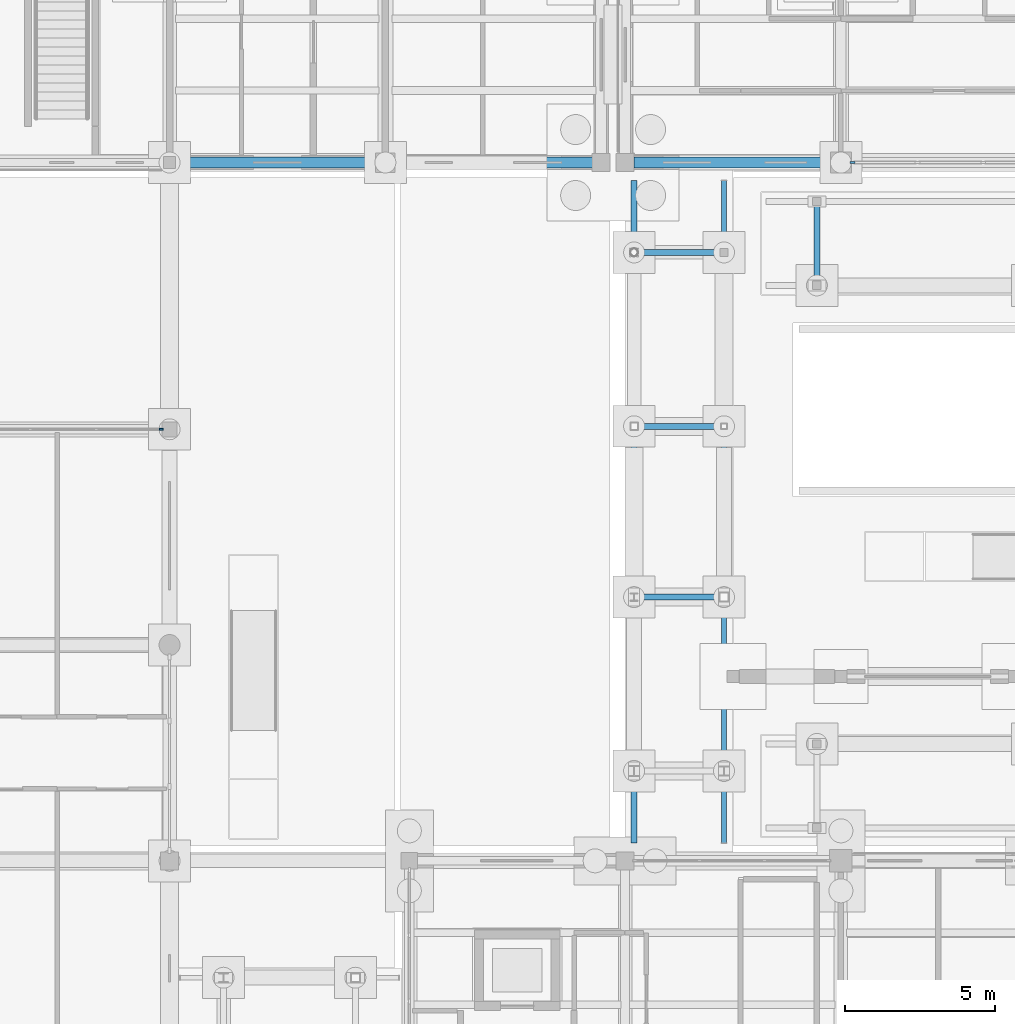
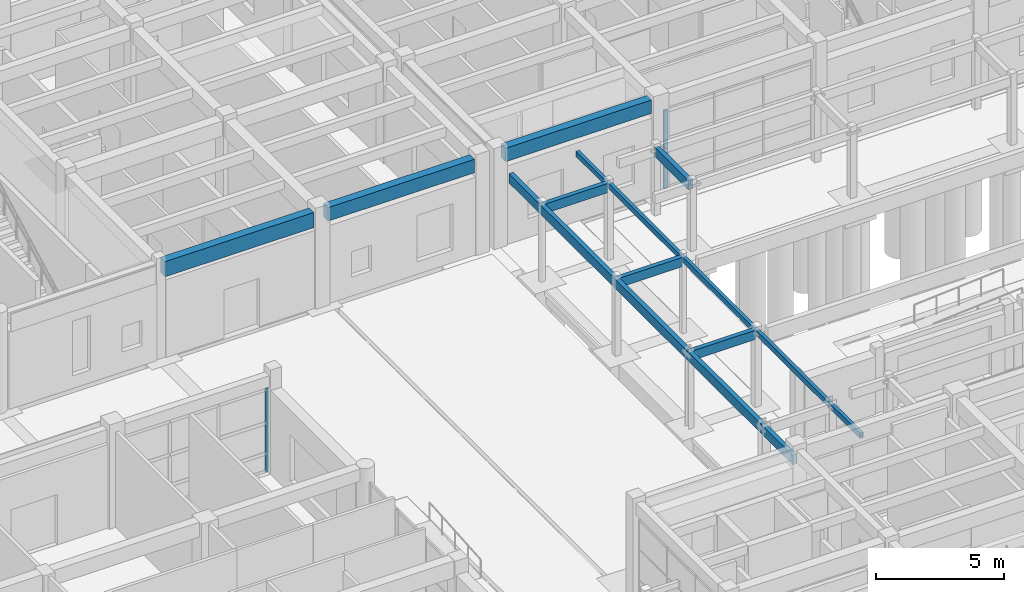
# One storey, part 39 of 143: 9 beams, 2 members, 2 elements without a shape of their own.
"""IFC4 building model written with IfcOpenShell, lengths in metres."""

from ifc_helpers import new_model, si_unit, direction, frame, origin, origin_2d, place, context, subcontext, project, spatial, rectangle, hollow_rectangle, extrude, material, material_profile, profile_set, type_object, element, aggregate, save


model = new_model("IFC4")

# Units and contexts
model_context = context("Model", 3, precision=1e-05, world=origin(), true_north=direction((0.0, 1.0)))
body_context = subcontext(model_context, "Body", "Model", "MODEL_VIEW")
ifc_project = project(units=[si_unit("LENGTHUNIT", "METRE"), si_unit("AREAUNIT", "SQUARE_METRE"), si_unit("VOLUMEUNIT", "CUBIC_METRE"), si_unit("PLANEANGLEUNIT", "RADIAN"), si_unit("MASSUNIT", "GRAM", prefix="KILO")], contexts=[model_context])

# Site, building, storey
site_placement = place(None, origin())
site = spatial("IfcSite", under=ifc_project, at=site_placement, CompositionType="ELEMENT")
building_placement = place(site_placement, origin())
building = spatial("IfcBuilding", under=site, at=building_placement, Name="Steenspoor Specialist Clinic", CompositionType="ELEMENT")
storey_placement = place(building_placement, origin())
storey = spatial("IfcBuildingStorey", under=building, at=storey_placement, Name="L00", CompositionType="ELEMENT", Elevation=0.0)

# Beams
ifc_material_1 = material(Name="Glulam GL28h", Category="wood")
ifc_material_profile_1 = material_profile(ifc_material_1, rectangle(XDim=0.199951171875, YDim=0.43994140625, at=origin_2d()), Name="GL28H-200X440")
ifc_profile_set_1 = profile_set([ifc_material_profile_1], Name="Glulam GL28h")
beam_type_1 = type_object("IfcBeamType", Name="BM-GL-200X440", PredefinedType="BEAM", material=ifc_profile_set_1)
beam_1_placement = place(storey_placement, frame((52.699951171875, 42.449951171875, 3.4150390625), z_axis=(0.0, 1.0, 0.0), x_axis=(-1.0, 0.0, 0.0)))
element("IfcBeam", 1, at=beam_1_placement, inside=storey, type_object=beam_type_1, Name="BM-WK1-CONT-0", PredefinedType="BEAM", context=body_context, shape_type="SweptSolid", body=[
    extrude(rectangle(XDim=0.199951171875, YDim=0.43994140625, at=origin_2d()), origin(), (0.0, 0.0, 1.0), 22.10009765625),
])
for number, where, z_axis, x_axis, name in (
    (2, (52.780029296875, 50.64990234375, 3.4150390625), (1.0, 0.0, 0.0), (0.0, 1.0, 0.0), "BM-WK1-T-506"),
    (3, (52.780029296875, 56.35009765625, 3.4150390625), (1.0, 0.0, 0.0), (0.0, 1.0, 0.0), "BM-WK1-T-563"),
    (4, (52.780029296875, 62.14990234375, 3.4150390625), (1.0, 0.0, 0.0), (0.0, 1.0, 0.0), "BM-WK1-T-621"),
):
    element("IfcBeam", number, at=place(storey_placement, frame(where, z_axis=z_axis, x_axis=x_axis)), inside=storey, type_object=beam_type_1, Name=name, PredefinedType="BEAM", context=body_context, shape_type="SweptSolid", body=[
        extrude(rectangle(XDim=0.199951171875, YDim=0.43994140625, at=origin_2d()), origin(), (0.0, 0.0, 1.0), 2.840087890625),
    ])
beam_2_placement = place(storey_placement, frame((58.800048828125, 61.1298828125, 3.014892578125), z_axis=(0.0, 1.0, 0.0), x_axis=(-1.0, 0.0, 0.0)))
element("IfcBeam", 5, at=beam_2_placement, inside=storey, type_object=beam_type_1, Name="BM-WK4-T-588", PredefinedType="BEAM", context=body_context, shape_type="SweptSolid", body=[
    extrude(rectangle(XDim=0.199951171875, YDim=0.43994140625, at=origin_2d()), origin(), (0.0, 0.0, 1.0), 2.64013671875),
])
ifc_material_2 = material(Name="Steel A500 Grade C", Category="steel")
ifc_material_profile_2 = material_profile(ifc_material_2, hollow_rectangle(XDim=0.15234375, YDim=0.25390625, WallThickness=0.0087890625, at=origin_2d()), Name="HSS254X152X9.5")
ifc_profile_set_2 = profile_set([ifc_material_profile_2], Name="Steel A500 Grade C")
beam_type_2 = type_object("IfcBeamType", Name="BM-ST-HSS254", PredefinedType="SPANDREL", material=ifc_profile_set_2)
beam_3_placement = place(storey_placement, frame((55.699951171875, 42.449951171875, 3.508056640625), z_axis=(0.0, 1.0, 0.0), x_axis=(-1.0, 0.0, 0.0)))
element("IfcBeam", 6, at=beam_3_placement, inside=storey, type_object=beam_type_2, Name="BM-WK1-CONT-1", PredefinedType="SPANDREL", context=body_context, shape_type="SweptSolid", body=[
    extrude(hollow_rectangle(XDim=0.15234375, YDim=0.25390625, WallThickness=0.0087890625, at=origin_2d()), origin(), (0.0, 0.0, 1.0), 22.10009765625),
])

# Curtain wall, member
ifc_material_3 = material(Name="Thermally broken aluminium and low-emissivity glass", Category="aluminium")
curtain_wall_type_1 = type_object("IfcCurtainWallType", Name="CW-TYP-240X355", PredefinedType="USERDEFINED", material=ifc_material_3)
curtain_wall_1_placement = place(storey_placement, origin())
curtain_wall_1 = element("IfcCurtainWall", 7, at=curtain_wall_1_placement, inside=storey, type_object=curtain_wall_type_1, Name="Unitised Curtain Wall CW-V3-L00-040", ObjectType="UNITISED GLAZING", PredefinedType="USERDEFINED")
ifc_material_4 = material(Name="Thermally broken aluminium 6063-T6", Category="aluminium")
ifc_material_profile_3 = material_profile(ifc_material_4, rectangle(XDim=0.06005859375, YDim=0.135009765625, at=origin_2d()), Name="CWM-60X135")
ifc_profile_set_3 = profile_set([ifc_material_profile_3], Name="Thermally broken aluminium 6063-T6")
member_type_1 = type_object("IfcMemberType", Name="CW-MULL-60X135", PredefinedType="MULLION", material=ifc_profile_set_3)
member_1_placement = place(storey_placement, frame((36.919921875, 56.25, 0.0), z_axis=(0.0, 0.0, 1.0), x_axis=(0.0, 1.0, 0.0)))
member_1 = element("IfcMember", 8, at=member_1_placement, type_object=member_type_1, Name="CW-16 mullion 4", PredefinedType="MULLION", context=body_context, shape_type="SweptSolid", body=[
    extrude(rectangle(XDim=0.06005859375, YDim=0.135009765625, at=origin_2d()), origin(), (0.0, 0.0, 1.0), 3.97998046875),
])
aggregate(curtain_wall_1, [member_1])

curtain_wall_type_2 = type_object("IfcCurtainWallType", Name="CW-WLK-640X340", PredefinedType="USERDEFINED", material=ifc_material_3)
curtain_wall_2_placement = place(storey_placement, origin())
curtain_wall_2 = element("IfcCurtainWall", 9, at=curtain_wall_2_placement, inside=storey, type_object=curtain_wall_type_2, Name="Unitised Curtain Wall CW-V4-L00-044", ObjectType="UNITISED GLAZING", PredefinedType="USERDEFINED")
ifc_material_profile_4 = material_profile(ifc_material_4, rectangle(XDim=0.070068359375, YDim=0.1650390625, at=origin_2d()), Name="CWM-70X165")
ifc_profile_set_4 = profile_set([ifc_material_profile_4], Name="Thermally broken aluminium 6063-T6")
member_type_2 = type_object("IfcMemberType", Name="CW-MULL-70X165", PredefinedType="MULLION", material=ifc_profile_set_4)
member_2_placement = place(storey_placement, frame((59.985107421875, 65.14990234375, 0.0), z_axis=(0.0, 0.0, 1.0), x_axis=(0.0, -1.0, 0.0)))
member_2 = element("IfcMember", 10, at=member_2_placement, type_object=member_type_2, Name="CW-20 mullion 4", PredefinedType="MULLION", context=body_context, shape_type="SweptSolid", body=[
    extrude(rectangle(XDim=0.070068359375, YDim=0.1650390625, at=origin_2d()), origin(), (0.0, 0.0, 1.0), 3.72998046875),
])
aggregate(curtain_wall_2, [member_2])

# Beams
ifc_material_5 = material(Name="Concrete C35/45", Category="concrete")
ifc_material_profile_5 = material_profile(ifc_material_5, rectangle(XDim=0.360107421875, YDim=0.639892578125, at=origin_2d()), Name="RC-SP-360X640")
ifc_profile_set_5 = profile_set([ifc_material_profile_5], Name="Concrete C35/45")
beam_type_3 = type_object("IfcBeamType", Name="SP-RC-360X640", PredefinedType="SPANDREL", material=ifc_profile_set_5)
beam_4_placement = place(storey_placement, frame((52.695068359375, 65.14990234375, 4.22998046875), z_axis=(1.0, 0.0, 0.0), x_axis=(0.0, 1.0, 0.0)))
element("IfcBeam", 11, at=beam_4_placement, inside=storey, type_object=beam_type_3, Name="BM-V4-L00-X0286", PredefinedType="SPANDREL", context=body_context, shape_type="SweptSolid", body=[
    extrude(rectangle(XDim=0.360107421875, YDim=0.639892578125, at=origin_2d()), origin(), (0.0, 0.0, 1.0), 6.559814453125),
])
beam_5_placement = place(storey_placement, frame((44.719970703125, 65.14990234375, 4.199951171875), z_axis=(1.0, 0.0, 0.0), x_axis=(0.0, 1.0, 0.0)))
element("IfcBeam", 12, at=beam_5_placement, inside=storey, type_object=beam_type_3, Name="BM-V5-L00-X1056", PredefinedType="SPANDREL", context=body_context, shape_type="SweptSolid", body=[
    extrude(rectangle(XDim=0.360107421875, YDim=0.639892578125, at=origin_2d()), origin(), (0.0, 0.0, 1.0), 6.5849609375),
])
ifc_material_profile_6 = material_profile(ifc_material_5, rectangle(XDim=0.360107421875, YDim=0.719970703125, at=origin_2d()), Name="RC-SP-360X720")
ifc_profile_set_6 = profile_set([ifc_material_profile_6], Name="Concrete C35/45")
beam_type_4 = type_object("IfcBeamType", Name="SP-RC-360X720", PredefinedType="SPANDREL", material=ifc_profile_set_6)
beam_6_placement = place(storey_placement, frame((37.39501953125, 65.14990234375, 4.159912109375), z_axis=(1.0, 0.0, 0.0), x_axis=(0.0, 1.0, 0.0)))
element("IfcBeam", 13, at=beam_6_placement, inside=storey, type_object=beam_type_4, Name="BM-V5-L00-X1055", PredefinedType="SPANDREL", context=body_context, shape_type="SweptSolid", body=[
    extrude(rectangle(XDim=0.360107421875, YDim=0.719970703125, at=origin_2d()), origin(), (0.0, 0.0, 1.0), 6.68505859375),
])

save(model, "model.ifc")
